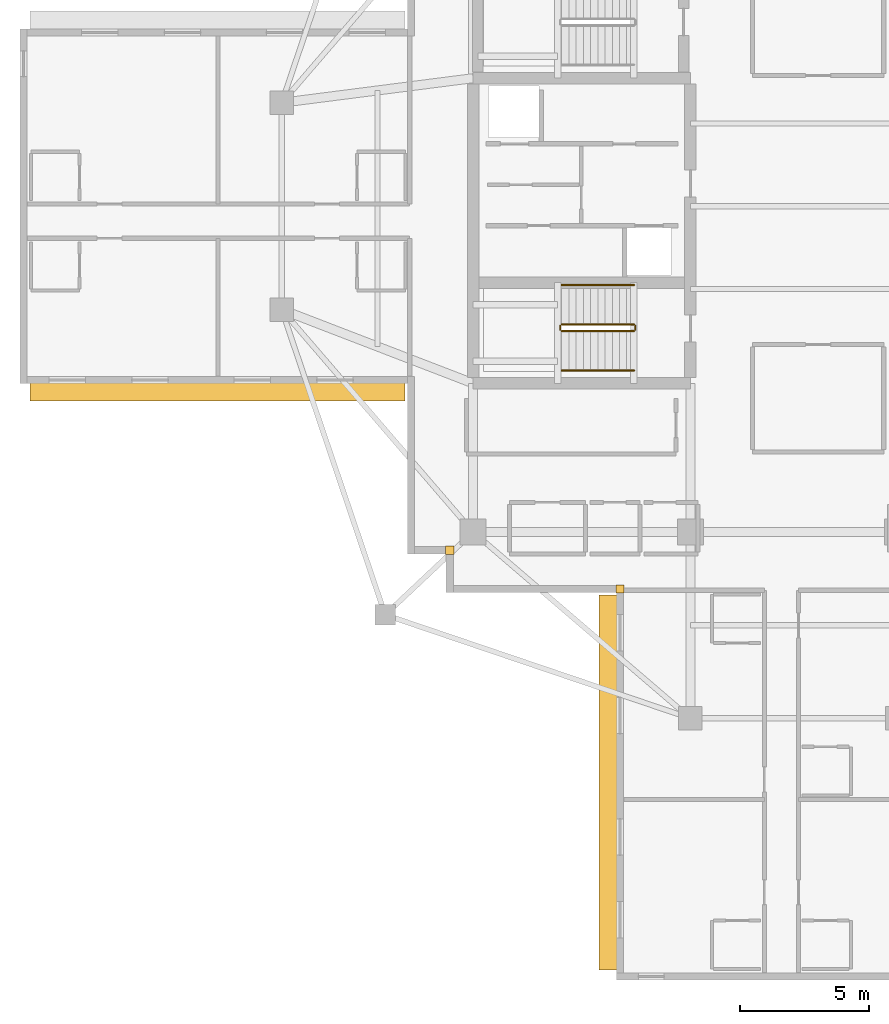
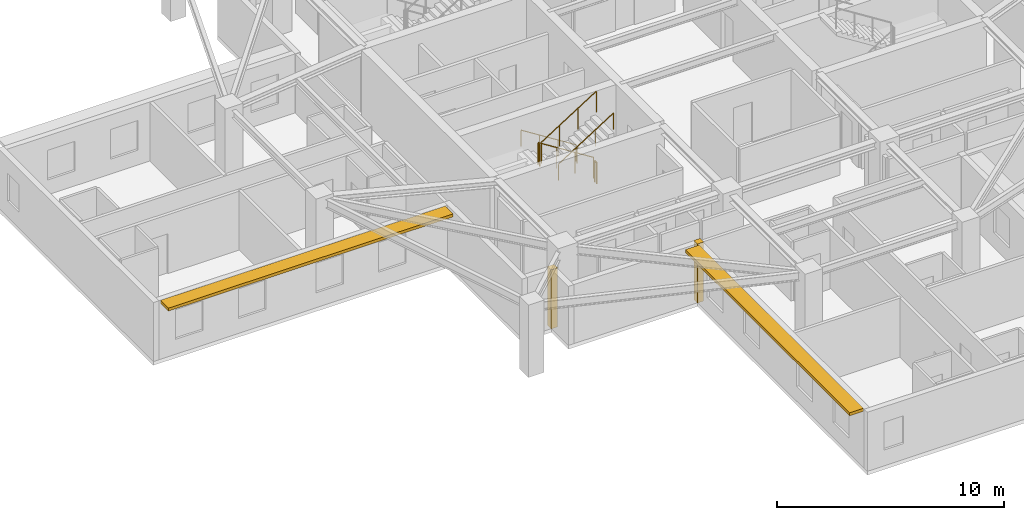
# One storey, part 10 of 13: 6 railings, 2 coverings, 2 shading devices.
"""IFC4 building model written with IfcOpenShell, lengths in metres."""

from ifc_helpers import new_model, si_unit, direction, frame, origin, origin_2d, place, context, subcontext, project, spatial, rectangle, circle, extrude, material, layer, layer_set, type_object, element, save


model = new_model("IFC4")

# Units and contexts
model_context = context("Model", 3, precision=1e-05, world=origin(), true_north=direction((0.0, 1.0)))
body_context = subcontext(model_context, "Body", "Model", "MODEL_VIEW")
ifc_project = project(units=[si_unit("LENGTHUNIT", "METRE"), si_unit("AREAUNIT", "SQUARE_METRE"), si_unit("VOLUMEUNIT", "CUBIC_METRE"), si_unit("PLANEANGLEUNIT", "RADIAN"), si_unit("MASSUNIT", "GRAM", prefix="KILO")], contexts=[model_context])

# Site, building, storey
site_placement = place(None, origin())
site = spatial("IfcSite", under=ifc_project, at=site_placement, CompositionType="ELEMENT")
building_placement = place(site_placement, origin())
building = spatial("IfcBuilding", under=site, at=building_placement, Name="Qingluan Cross Belvedere", CompositionType="ELEMENT")
storey_placement = place(building_placement, frame((0.0, 0.0, 224.699951171875)))
storey = spatial("IfcBuildingStorey", under=building, at=storey_placement, Name="L56", CompositionType="ELEMENT", Elevation=224.699951171875)

# Coverings
ifc_material_1 = material(Name="Precast concrete C45", Category="concrete")
ifc_layer_1 = layer(ifc_material_1, 0.1201171875, Name="ConcreteSpandrelCladding_120")
ifc_layer_set_1 = layer_set([ifc_layer_1], Name="Precast concrete C45")
covering_type = type_object("IfcCoveringType", Name="ConcreteSpandrelCladding_120", PredefinedType="CLADDING", material=ifc_layer_set_1)
for number, where, z_axis, x_axis, name in (
    (1, (-13.300048828125, -13.300048828125, 0.0), (0.0, 0.0, 1.0), (1.0, 0.0, 0.0), "Corner closure L56-SW1"),
    (2, (-6.719970703125, -14.800048828125, 0.0), (0.0, 0.0, 1.0), (1.0, 0.0, 0.0), "Corner closure L56-SW2"),
):
    element("IfcCovering", number, at=place(storey_placement, frame(where, z_axis=z_axis, x_axis=x_axis)), inside=storey, type_object=covering_type, Name=name, PredefinedType="CLADDING", context=body_context, shape_type="SweptSolid", body=[
        extrude(rectangle(XDim=0.320068359375, YDim=0.320068359375, at=origin_2d()), origin(), (0.0, 0.0, 1.0), 3.179931640625),
    ])

# Shading devices
ifc_material_2 = material(Name="Precast concrete C45", Category="concrete")
ifc_layer_2 = layer(ifc_material_2, 0.139892578125, Name="ConcreteSunshadeBand_700")
ifc_layer_set_2 = layer_set([ifc_layer_2], Name="Precast concrete C45")
shading_device_type = type_object("IfcShadingDeviceType", Name="ConcreteSunshadeBand_700", PredefinedType="USERDEFINED", material=ifc_layer_set_2)
for number, where, z_axis, x_axis, name in (
    (3, (-22.2900390625, -7.18994140625, 3.0), (0.0, 0.0, 1.0), (1.0, 0.0, 0.0), "Concrete SUNSHADE L56-WB"),
    (4, (-7.18994140625, -22.2900390625, 3.0), (0.0, 0.0, 1.0), (0.0, -1.0, 0.0), "Concrete SUNSHADE L56-SA"),
):
    element("IfcShadingDevice", number, at=place(storey_placement, frame(where, z_axis=z_axis, x_axis=x_axis)), inside=storey, type_object=shading_device_type, Name=name, ObjectType="SUNSHADE", PredefinedType="USERDEFINED", context=body_context, shape_type="SweptSolid", body=[
        extrude(rectangle(XDim=14.5, YDim=0.699951171875, at=origin_2d()), origin(), (0.0, 0.0, 1.0), 0.159912109375),
    ])

# Railings
ifc_material_3 = material(Name="Brushed stainless steel tubular handrail", Category="steel")
railing_type_1 = type_object("IfcRailingType", Name="StairPitchHandrail_900", PredefinedType="HANDRAIL", material=ifc_material_3)
railing_1_placement = place(storey_placement, frame((-6.179931640625, -3.050048828125, 0.17724609375)))
element("IfcRailing", 5, at=railing_1_placement, inside=storey, type_object=railing_type_1, Name="L56 ST1 stair handrail 1", PredefinedType="HANDRAIL", context=body_context, shape_type="SweptSolid", body=[
    extrude(circle(Radius=0.02392578125, at=origin_2d()), frame((0.0, 0.0, 0.8759765625), z_axis=(-0.844908973607, 0.0, 0.534910110503), x_axis=(0.0, -1.0, 0.0)), (0.0, 0.0, 1.0), 3.31396484375),
    extrude(circle(Radius=0.02099609375, at=origin_2d()), origin(), (0.0, 0.0, 1.0), 0.851806640625),
    extrude(circle(Radius=0.02099609375, at=origin_2d()), frame((-0.933349609375, 0.0, 0.5908203125)), (0.0, 0.0, 1.0), 0.851806640625),
    extrude(circle(Radius=0.02099609375, at=origin_2d()), frame((-1.86669921875, 0.0, 1.181884765625)), (0.0, 0.0, 1.0), 0.851806640625),
    extrude(circle(Radius=0.02099609375, at=origin_2d()), frame((-2.800048828125, 0.0, 1.772705078125)), (0.0, 0.0, 1.0), 0.851806640625),
])
railing_2_placement = place(storey_placement, frame((-8.97998046875, -6.35009765625, 2.12744140625)))
element("IfcRailing", 6, at=railing_2_placement, inside=storey, type_object=railing_type_1, Name="L56 ST1 stair handrail 2", PredefinedType="HANDRAIL", context=body_context, shape_type="SweptSolid", body=[
    extrude(circle(Radius=0.02392578125, at=origin_2d()), frame((0.0, 0.0, 0.8759765625), z_axis=(0.844908973607, 0.0, 0.534910110503), x_axis=(0.0, 1.0, 0.0)), (0.0, 0.0, 1.0), 3.31396484375),
    extrude(circle(Radius=0.02099609375, at=origin_2d()), origin(), (0.0, 0.0, 1.0), 0.851806640625),
    extrude(circle(Radius=0.02099609375, at=origin_2d()), frame((0.933349609375, 0.0, 0.5908203125)), (0.0, 0.0, 1.0), 0.851806640625),
    extrude(circle(Radius=0.02099609375, at=origin_2d()), frame((1.86669921875, 0.0, 1.181884765625)), (0.0, 0.0, 1.0), 0.851806640625),
    extrude(circle(Radius=0.02099609375, at=origin_2d()), frame((2.800048828125, 0.0, 1.772705078125)), (0.0, 0.0, 1.0), 0.851806640625),
])
ifc_material_4 = material(Name="Painted steel stair well guard", Category="steel")
railing_type_2 = type_object("IfcRailingType", Name="StairWellGuard_1150", PredefinedType="BALUSTRADE", material=ifc_material_4)
railing_3_placement = place(storey_placement, frame((-6.179931640625, -4.570068359375, 0.17724609375)))
element("IfcRailing", 7, at=railing_3_placement, inside=storey, type_object=railing_type_2, Name="L56 ST1 stair guard 1", PredefinedType="BALUSTRADE", context=body_context, shape_type="SweptSolid", body=[
    extrude(circle(Radius=0.02392578125, at=origin_2d()), frame((0.0, 0.0, 1.1259765625), z_axis=(-0.844908973607, 0.0, 0.534910110503), x_axis=(0.0, -1.0, 0.0)), (0.0, 0.0, 1.0), 3.31396484375),
    extrude(circle(Radius=0.02099609375, at=origin_2d()), origin(), (0.0, 0.0, 1.0), 1.101806640625),
    extrude(circle(Radius=0.02099609375, at=origin_2d()), frame((-0.933349609375, 0.0, 0.5908203125)), (0.0, 0.0, 1.0), 1.101806640625),
    extrude(circle(Radius=0.02099609375, at=origin_2d()), frame((-1.86669921875, 0.0, 1.181884765625)), (0.0, 0.0, 1.0), 1.101806640625),
    extrude(circle(Radius=0.02099609375, at=origin_2d()), frame((-2.800048828125, 0.0, 1.772705078125)), (0.0, 0.0, 1.0), 1.101806640625),
])
railing_4_placement = place(storey_placement, frame((-9.030029296875, -4.6201171875, 1.949951171875)))
element("IfcRailing", 8, at=railing_4_placement, inside=storey, type_object=railing_type_2, Name="L56 ST1 stair guard 2", PredefinedType="BALUSTRADE", context=body_context, shape_type="SweptSolid", body=[
    extrude(circle(Radius=0.02392578125, at=origin_2d()), frame((0.0, 0.0, 1.1259765625), z_axis=(0.0, -1.0, 0.0), x_axis=(1.0, 0.0, 0.0)), (0.0, 0.0, 1.0), 0.159912109375),
    extrude(circle(Radius=0.02099609375, at=origin_2d()), origin(), (0.0, 0.0, 1.0), 1.101806640625),
    extrude(circle(Radius=0.02099609375, at=origin_2d()), frame((0.0, -0.159912109375, 0.0)), (0.0, 0.0, 1.0), 1.101806640625),
])
railing_5_placement = place(storey_placement, frame((-8.97998046875, -4.830078125, 2.12744140625)))
element("IfcRailing", 9, at=railing_5_placement, inside=storey, type_object=railing_type_2, Name="L56 ST1 stair guard 3", PredefinedType="BALUSTRADE", context=body_context, shape_type="SweptSolid", body=[
    extrude(circle(Radius=0.02392578125, at=origin_2d()), frame((0.0, 0.0, 1.1259765625), z_axis=(0.844908973607, 0.0, 0.534910110503), x_axis=(0.0, 1.0, 0.0)), (0.0, 0.0, 1.0), 3.31396484375),
    extrude(circle(Radius=0.02099609375, at=origin_2d()), origin(), (0.0, 0.0, 1.0), 1.101806640625),
    extrude(circle(Radius=0.02099609375, at=origin_2d()), frame((0.933349609375, 0.0, 0.5908203125)), (0.0, 0.0, 1.0), 1.101806640625),
    extrude(circle(Radius=0.02099609375, at=origin_2d()), frame((1.86669921875, 0.0, 1.181884765625)), (0.0, 0.0, 1.0), 1.101806640625),
    extrude(circle(Radius=0.02099609375, at=origin_2d()), frame((2.800048828125, 0.0, 1.772705078125)), (0.0, 0.0, 1.0), 1.101806640625),
])
railing_6_placement = place(storey_placement, frame((-6.1298828125, -4.6201171875, 0.0)))
element("IfcRailing", 10, at=railing_6_placement, inside=storey, type_object=railing_type_2, Name="L56 ST1 stair guard 4", PredefinedType="BALUSTRADE", context=body_context, shape_type="SweptSolid", body=[
    extrude(circle(Radius=0.02392578125, at=origin_2d()), frame((0.0, 0.0, 1.1259765625), z_axis=(0.0, -1.0, 0.0), x_axis=(1.0, 0.0, 0.0)), (0.0, 0.0, 1.0), 0.159912109375),
    extrude(circle(Radius=0.02099609375, at=origin_2d()), origin(), (0.0, 0.0, 1.0), 1.101806640625),
    extrude(circle(Radius=0.02099609375, at=origin_2d()), frame((0.0, -0.159912109375, 0.0)), (0.0, 0.0, 1.0), 1.101806640625),
])

save(model, "model.ifc")
